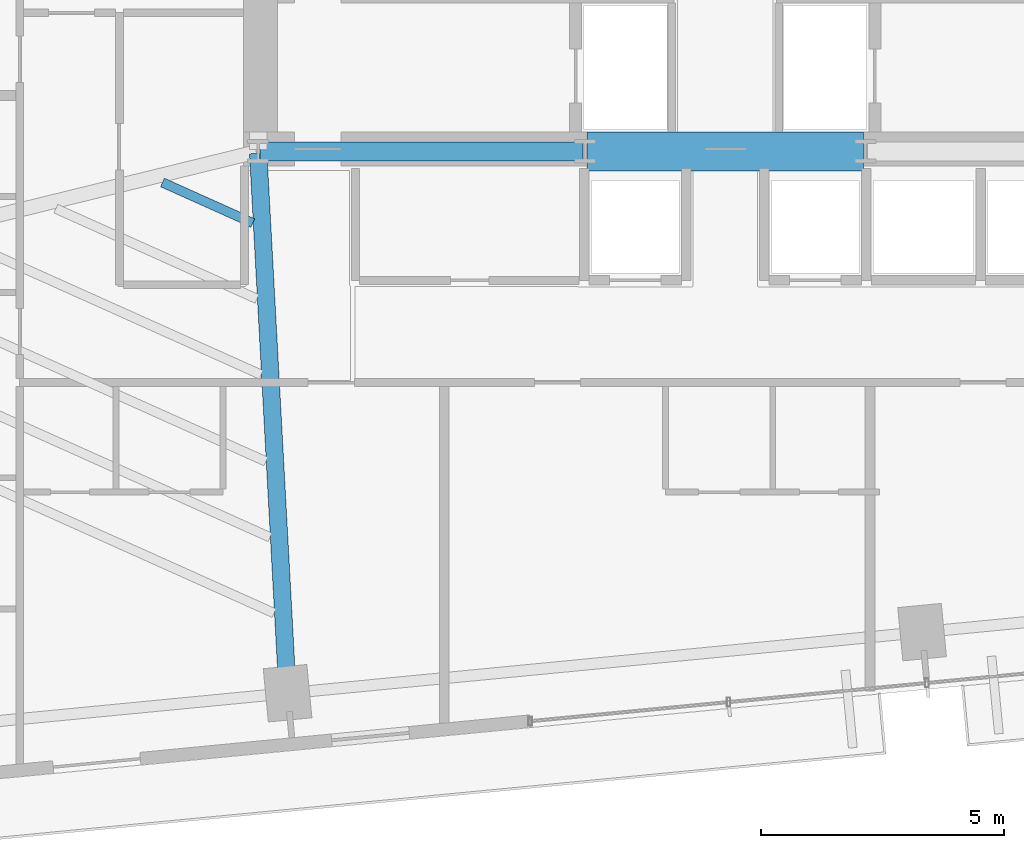
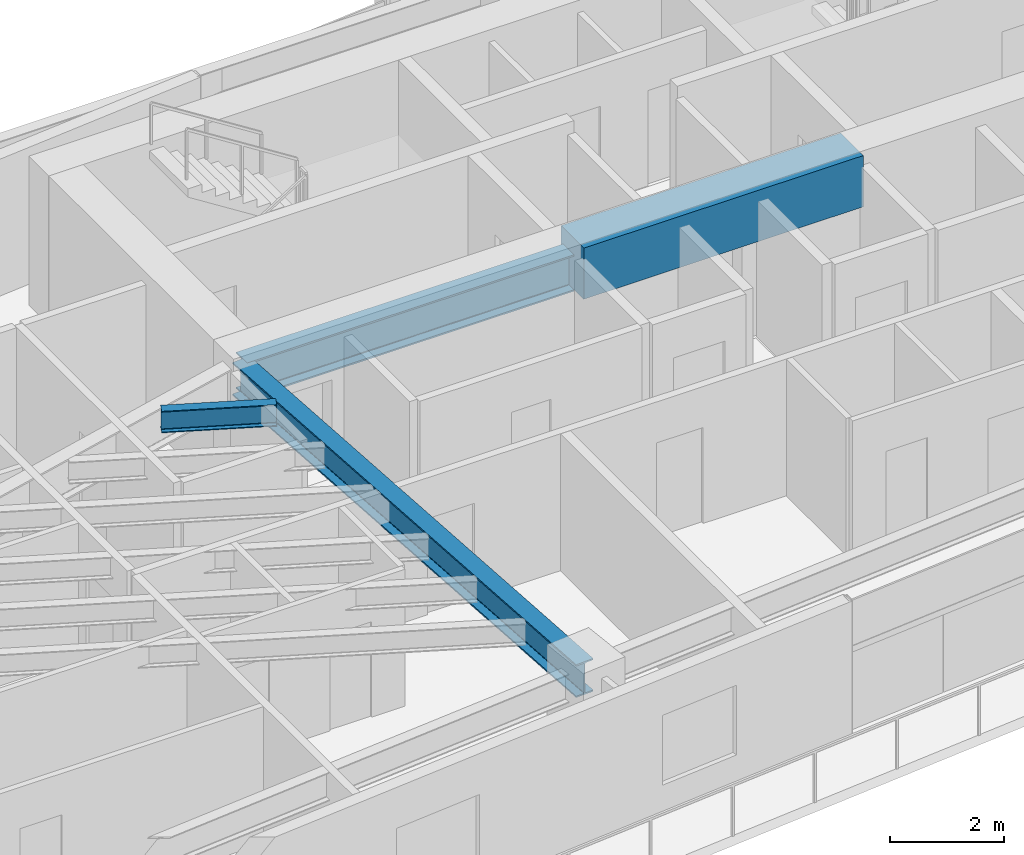
# One storey, part 7 of 27: 4 beams.
"""IFC4 building model written with IfcOpenShell, lengths in metres."""

import ifcopenshell
import ifcopenshell.guid

model = None  # the IFC model being written
_history = None  # IfcOwnerHistory: only IFC2X3 demands one
_inside = {}  # id of a spatial element -> (the spatial element, [elements in it])
_under = {}  # id of a project, library or spatial element -> (it, [spatial elements below it])
_declared = {}  # id of a project -> (the project, [libraries it declares])
_typed = {}  # id of a type object -> (the type object, [elements of that type])
_made_of = {}  # id of a material, layer set ... -> (it, [elements and type objects made of it])


def new_model(schema):
    """Start an empty IFC model of exactly this schema.

    Asked for "IFC4X3", IfcOpenShell would pick the latest addendum, in which some entities
    have other attributes; the version numbers below select the first issue.
    IFC2X3 requires an IfcOwnerHistory on every rooted entity: one is made here for all.
    """
    global model, _history
    if schema == "IFC4X3":
        model = ifcopenshell.file(schema_version=(4, 3, 0, 0))
    else:
        model = ifcopenshell.file(schema=schema)
    _inside.clear()
    _under.clear()
    _declared.clear()
    _typed.clear()
    _made_of.clear()
    _history = None
    if model.schema == "IFC2X3":
        org = make("IfcOrganization", Name="unknown")
        user = make(
            "IfcPersonAndOrganization",
            ThePerson=make("IfcPerson", FamilyName="unknown"),
            TheOrganization=org,
        )
        app = make(
            "IfcApplication",
            ApplicationDeveloper=org,
            Version="unknown",
            ApplicationFullName="unknown",
            ApplicationIdentifier="unknown",
        )
        _history = make(
            "IfcOwnerHistory",
            OwningUser=user,
            OwningApplication=app,
            ChangeAction="ADDED",
            CreationDate=0,
        )
    return model


def make(cls, **values):
    """One entity of the class cls with the attributes given. An attribute that is None is left unset."""
    return model.create_entity(
        cls, **{name: value for name, value in values.items() if value is not None}
    )


def rooted(cls, **values):
    """An entity with a GlobalId (a new one), such as an element, a storey or a relation."""
    return make(cls, GlobalId=ifcopenshell.guid.new(), OwnerHistory=_history, **values)


def si_unit(unit_type, name, prefix=None):
    """IfcSIUnit, for example si_unit("LENGTHUNIT", "METRE", prefix="MILLI")."""
    return make("IfcSIUnit", UnitType=unit_type, Prefix=prefix, Name=name)


def assignment(units):
    """IfcUnitAssignment: the units of a project."""
    return None if units is None else make("IfcUnitAssignment", Units=units)


def point(xyz):
    """IfcCartesianPoint."""
    return None if xyz is None else make("IfcCartesianPoint", Coordinates=xyz)


def direction(xyz):
    """IfcDirection."""
    return None if xyz is None else make("IfcDirection", DirectionRatios=xyz)


def frame(location, z_axis=None, x_axis=None):
    """IfcAxis2Placement3D, a coordinate frame: its origin and axes. An axis left out is left unset."""
    return make(
        "IfcAxis2Placement3D",
        Location=point(location),
        Axis=direction(z_axis),
        RefDirection=direction(x_axis),
    )


def frame_2d(location, x_axis=None):
    """IfcAxis2Placement2D, a coordinate frame in the plane: its origin and x axis."""
    return make(
        "IfcAxis2Placement2D", Location=point(location), RefDirection=direction(x_axis)
    )


def origin():
    """The frame at (0, 0, 0) with its axes left unset."""
    return frame((0.0, 0.0, 0.0))


def origin_2d():
    """The frame at (0, 0) in the plane with its x axis left unset."""
    return frame_2d((0.0, 0.0))


def place(relative_to, where):
    """IfcLocalPlacement: puts the frame where relative to a parent placement (None: the world)."""
    return make(
        "IfcLocalPlacement", PlacementRelTo=relative_to, RelativePlacement=where
    )


def context(
    kind, dimensions, precision=None, world=None, true_north=None, identifier=None
):
    """IfcGeometricRepresentationContext, for example the 3D "Model" context."""
    return make(
        "IfcGeometricRepresentationContext",
        ContextIdentifier=identifier,
        ContextType=kind,
        CoordinateSpaceDimension=dimensions,
        Precision=precision,
        WorldCoordinateSystem=world,
        TrueNorth=true_north,
    )


def subcontext(parent, identifier, kind, view, scale=None):
    """IfcGeometricRepresentationSubContext, for example "Body" below "Model"."""
    return make(
        "IfcGeometricRepresentationSubContext",
        ContextIdentifier=identifier,
        ContextType=kind,
        ParentContext=parent,
        TargetScale=scale,
        TargetView=view,
    )


def project(units=None, contexts=None):
    """IfcProject with its units and contexts."""
    return rooted(
        "IfcProject",
        Name="project",
        RepresentationContexts=contexts,
        UnitsInContext=assignment(units),
    )


def spatial(cls, under=None, at=None, **own):
    """A site, building, storey or space (cls), placed at a placement, below another one or the project."""
    s = rooted(cls, ObjectPlacement=at, **own)
    if under is not None:
        _under.setdefault(under.id(), (under, []))[1].append(s)
    return s


def profile(cls, at=None, kind="AREA", **sizes):
    """A parametric profile (cls). Its sizes go by their IFC names, for example OverallWidth=200.0."""
    return make(cls, ProfileType=kind, Position=at, **sizes)


def rectangle(**sizes):
    """IfcRectangleProfileDef."""
    return profile("IfcRectangleProfileDef", **sizes)


def i_section(**sizes):
    """IfcIShapeProfileDef."""
    return profile("IfcIShapeProfileDef", **sizes)


def extrude(swept, where, along, depth):
    """IfcExtrudedAreaSolid: the profile swept, set in the frame where, extruded along a direction by depth."""
    return make(
        "IfcExtrudedAreaSolid",
        SweptArea=swept,
        Position=where,
        ExtrudedDirection=direction(along),
        Depth=depth,
    )


def shape(context_of_items, identifier, shape_type, items):
    """IfcShapeRepresentation: the items that make up one representation, for example the "Body"."""
    return make(
        "IfcShapeRepresentation",
        ContextOfItems=context_of_items,
        RepresentationIdentifier=identifier,
        RepresentationType=shape_type,
        Items=items,
    )


def source(mapping_origin, context_of_items, identifier, shape_type, items):
    """IfcRepresentationMap: a shape defined once, which mapped items show again and again."""
    return make(
        "IfcRepresentationMap",
        MappingOrigin=mapping_origin,
        MappedRepresentation=shape(context_of_items, identifier, shape_type, items),
    )


def transform(
    local_origin,
    x_axis=None,
    y_axis=None,
    z_axis=None,
    scale=None,
    scale2=None,
    scale3=None,
    uniform=True,
):
    """IfcCartesianTransformationOperator3D, or its non-uniform kind. x_axis, y_axis, z_axis: its Axis1, 2, 3."""
    if uniform:
        return make(
            "IfcCartesianTransformationOperator3D",
            Axis1=direction(x_axis),
            Axis2=direction(y_axis),
            LocalOrigin=point(local_origin),
            Scale=scale,
            Axis3=direction(z_axis),
        )
    return make(
        "IfcCartesianTransformationOperator3DnonUniform",
        Axis1=direction(x_axis),
        Axis2=direction(y_axis),
        LocalOrigin=point(local_origin),
        Scale=scale,
        Axis3=direction(z_axis),
        Scale2=scale2,
        Scale3=scale3,
    )


def mapped(mapping_source, mapping_target):
    """IfcMappedItem: shows the shape of a source again, moved by a transform."""
    return make(
        "IfcMappedItem", MappingSource=mapping_source, MappingTarget=mapping_target
    )


def material(Name=None, Category=None):
    """IfcMaterial."""
    return make("IfcMaterial", Name=Name, Category=Category)


def material_profile(
    of_material, cross_section, Name=None, Category=None, Priority=None
):
    """IfcMaterialProfile: a cross section and its material."""
    return make(
        "IfcMaterialProfile",
        Name=Name,
        Material=of_material,
        Profile=cross_section,
        Priority=Priority,
        Category=Category,
    )


def profile_set(profiles, Name=None, composite=None):
    """IfcMaterialProfileSet."""
    return make(
        "IfcMaterialProfileSet",
        Name=Name,
        MaterialProfiles=profiles,
        CompositeProfile=composite,
    )


def made_of(thing, what):
    """Note that an element or type object is made of a material, layer set ...; save() writes the relation."""
    if what is not None:
        _made_of.setdefault(what.id(), (what, []))[1].append(thing)
    return thing


def type_object(cls, material=None, **own):
    """A type object (cls), such as IfcWallType, which elements share."""
    return made_of(rooted(cls, **own), material)


def type_shapes(of_type, sources):
    """Give a type object the sources (RepresentationMaps) that its elements show as mapped items."""
    of_type.RepresentationMaps = sources


def element(
    cls,
    number,
    at=None,
    inside=None,
    cuts=None,
    type_object=None,
    material=None,
    context=None,
    identifier="Body",
    shape_type=None,
    held_by="IfcProductDefinitionShape",
    body=None,
    shapes=None,
    **own,
):
    """One element of the class cls, such as IfcWall. Its Tag is "e" and its number.

    at: its placement. inside: the storey or other place that contains it. cuts: it is an
    opening in that element (IfcRelVoidsElement). A single representation is given by context,
    identifier, shape_type and body (its items); several are given by shapes. held_by: the class
    of the entity that holds the representations. save() writes the other relations.
    """
    e = rooted(cls, Tag="e%d" % number, ObjectPlacement=at, **own)
    if body is not None:
        shapes = [shape(context, identifier, shape_type, body)]
    if shapes is not None:
        e.Representation = make(held_by, Representations=shapes)
    if inside is not None:
        _inside.setdefault(inside.id(), (inside, []))[1].append(e)
    if cuts is not None:
        rooted(
            "IfcRelVoidsElement", RelatingBuildingElement=cuts, RelatedOpeningElement=e
        )
    if type_object is not None:
        _typed.setdefault(type_object.id(), (type_object, []))[1].append(e)
    return made_of(e, material)


def aggregate(whole, parts):
    """IfcRelAggregates: a whole, such as a stair, and the parts it consists of."""
    return rooted("IfcRelAggregates", RelatingObject=whole, RelatedObjects=parts)


def save(model, path):
    """Write the relations noted so far, then the file.

    IfcRelAggregates (storeys below a building ...), IfcRelContainedInSpatialStructure (elements
    in a storey), IfcRelDefinesByType, IfcRelAssociatesMaterial and IfcRelDeclares: one each for
    every whole, place, type object, material and project.
    """
    for whole, parts in _under.values():
        aggregate(whole, parts)
    for where, things in _inside.values():
        rooted(
            "IfcRelContainedInSpatialStructure",
            RelatedElements=things,
            RelatingStructure=where,
        )
    for kind, things in _typed.values():
        rooted("IfcRelDefinesByType", RelatedObjects=things, RelatingType=kind)
    for what, things in _made_of.values():
        rooted("IfcRelAssociatesMaterial", RelatedObjects=things, RelatingMaterial=what)
    for by, libraries in _declared.values():
        rooted("IfcRelDeclares", RelatingContext=by, RelatedDefinitions=libraries)
    model.write(path)


model = new_model("IFC4")

# Units and contexts
model_context = context("Model", 3, precision=1e-05, world=origin(), true_north=direction((0.0, 1.0)))
body_context = subcontext(model_context, "Body", "Model", "MODEL_VIEW")
ifc_project = project(units=[si_unit("LENGTHUNIT", "METRE"), si_unit("AREAUNIT", "SQUARE_METRE"), si_unit("VOLUMEUNIT", "CUBIC_METRE"), si_unit("PLANEANGLEUNIT", "RADIAN"), si_unit("MASSUNIT", "GRAM", prefix="KILO")], contexts=[model_context])

# Site, building, storey
site_placement = place(None, origin())
site = spatial("IfcSite", under=ifc_project, at=site_placement, CompositionType="ELEMENT")
building_placement = place(site_placement, origin())
building = spatial("IfcBuilding", under=site, at=building_placement, Name="Astriad Promenade Condominiums", CompositionType="ELEMENT")
storey_placement = place(building_placement, frame((0.0, 0.0, 109.800048828125)))
storey = spatial("IfcBuildingStorey", under=building, at=storey_placement, Name="L31", CompositionType="ELEMENT", Elevation=109.800048828125)

# Beams
ifc_material_1 = material(Name="Steel ASTM A992 Grade 50", Category="steel")
ifc_material_profile_1 = material_profile(ifc_material_1, i_section(OverallWidth=0.3837890625, OverallDepth=0.785888671875, WebThickness=0.019775390625, FlangeThickness=0.033447265625, FilletRadius=0.021484375, at=origin_2d()), Name="W30X211")
ifc_profile_set_1 = profile_set([ifc_material_profile_1], Name="Steel ASTM A992 Grade 50")
beam_type_1 = type_object("IfcBeamType", Name="STEEL FLOOR GIRDER W30X211", PredefinedType="BEAM", material=ifc_profile_set_1)
shared_shape_1 = source(origin(), body_context, "Body", "SweptSolid", [
    extrude(i_section(OverallWidth=0.3837890625, OverallDepth=0.785888671875, WebThickness=0.019775390625, FlangeThickness=0.033447265625, FilletRadius=0.021484375, at=origin_2d()), origin(), (0.0, 0.0, 1.0), 6.64013671875),
])
type_shapes(beam_type_1, [shared_shape_1])
beam_1_placement = place(storey_placement, frame((26.43994140625, 17.39990234375, 2.546875), z_axis=(1.0, 0.0, 0.0), x_axis=(0.0, 1.0, 0.0)))
element("IfcBeam", 1, at=beam_1_placement, inside=storey, type_object=beam_type_1, Name="Core Ring Beam CG-S1-L31", PredefinedType="BEAM", context=body_context, shape_type="MappedRepresentation", body=[
    mapped(shared_shape_1, transform((0.0, 0.0, 0.0), scale=1.0)),
])
ifc_material_2 = material(Name="Concrete C80/95", Category="concrete")
ifc_material_profile_2 = material_profile(ifc_material_2, rectangle(XDim=0.800048828125, YDim=1.10009765625, at=origin_2d()), Name="RC-BM-800X1100")
ifc_profile_set_2 = profile_set([ifc_material_profile_2], Name="Concrete C80/95")
beam_type_2 = type_object("IfcBeamType", Name="CONCRETE CORE COUPLING LINTEL 800X1100", PredefinedType="LINTEL", material=ifc_profile_set_2)
shared_shape_2 = source(origin(), body_context, "Body", "SweptSolid", [
    extrude(rectangle(XDim=0.800048828125, YDim=1.10009765625, at=origin_2d()), origin(), (0.0, 0.0, 1.0), 5.68017578125),
])
type_shapes(beam_type_2, [shared_shape_2])
beam_2_placement = place(storey_placement, frame((33.159912109375, 17.39990234375, 2.6298828125), z_axis=(1.0, 0.0, 0.0), x_axis=(0.0, 1.0, 0.0)))
element("IfcBeam", 2, at=beam_2_placement, inside=storey, type_object=beam_type_2, Name="Core Ring Beam CG-S2-L31", PredefinedType="LINTEL", context=body_context, shape_type="MappedRepresentation", body=[
    mapped(shared_shape_2, transform((0.0, 0.0, 0.0), scale=1.0)),
])
ifc_material_profile_3 = material_profile(ifc_material_1, i_section(OverallWidth=0.35791015625, OverallDepth=0.706298828125, WebThickness=0.018310546875, FlangeThickness=0.0302734375, FilletRadius=0.020263671875, at=origin_2d()), Name="W27X178")
ifc_profile_set_3 = profile_set([ifc_material_profile_3], Name="Steel ASTM A992 Grade 50")
beam_type_3 = type_object("IfcBeamType", Name="STEEL FLOOR GIRDER W27X178", PredefinedType="BEAM", material=ifc_profile_set_3)
shared_shape_3 = source(origin(), body_context, "Body", "SweptSolid", [
    extrude(i_section(OverallWidth=0.35791015625, OverallDepth=0.706298828125, WebThickness=0.018310546875, FlangeThickness=0.0302734375, FilletRadius=0.020263671875, at=origin_2d()), origin(), (0.0, 0.0, 1.0), 11.071533203125),
])
type_shapes(beam_type_3, [shared_shape_3])
beam_3_placement = place(storey_placement, frame((27.00341796875, 6.304931640625, 2.586669921875), z_axis=(-0.05431219074, 0.998524003686, 0.0), x_axis=(-0.998524003686, -0.05431219074, 0.0)))
element("IfcBeam", 3, at=beam_3_placement, inside=storey, type_object=beam_type_3, Name="Primary Floor Girder PG-W2-L31", PredefinedType="BEAM", context=body_context, shape_type="MappedRepresentation", body=[
    mapped(shared_shape_3, transform((0.0, 0.0, 0.0), scale=1.0)),
])
ifc_material_profile_4 = material_profile(ifc_material_1, i_section(OverallWidth=0.19287109375, OverallDepth=0.466064453125, WebThickness=0.011474609375, FlangeThickness=0.01904296875, FilletRadius=0.01513671875, at=origin_2d()), Name="W18X65")
ifc_profile_set_4 = profile_set([ifc_material_profile_4], Name="Steel ASTM A992 Grade 50")
beam_type_4 = type_object("IfcBeamType", Name="STEEL FLOOR JOIST W18X65", PredefinedType="JOIST", material=ifc_profile_set_4)
shared_shape_4 = source(origin(), body_context, "Body", "SweptSolid", [
    extrude(i_section(OverallWidth=0.19287109375, OverallDepth=0.466064453125, WebThickness=0.011474609375, FlangeThickness=0.01904296875, FilletRadius=0.01513671875, at=origin_2d()), origin(), (0.0, 0.0, 1.0), 2.03564453125),
])
type_shapes(beam_type_4, [shared_shape_4])
beam_4_placement = place(storey_placement, frame((24.434814453125, 16.76123046875, 2.706787109375), z_axis=(0.912286908711, -0.409551701492, 0.0), x_axis=(0.409551701492, 0.912286908711, 0.0)))
element("IfcBeam", 4, at=beam_4_placement, inside=storey, type_object=beam_type_4, Name="Secondary Composite Floor Joist JW1-6-L31", PredefinedType="JOIST", context=body_context, shape_type="MappedRepresentation", body=[
    mapped(shared_shape_4, transform((0.0, 0.0, 0.0), scale=1.0)),
])

save(model, "model.ifc")
